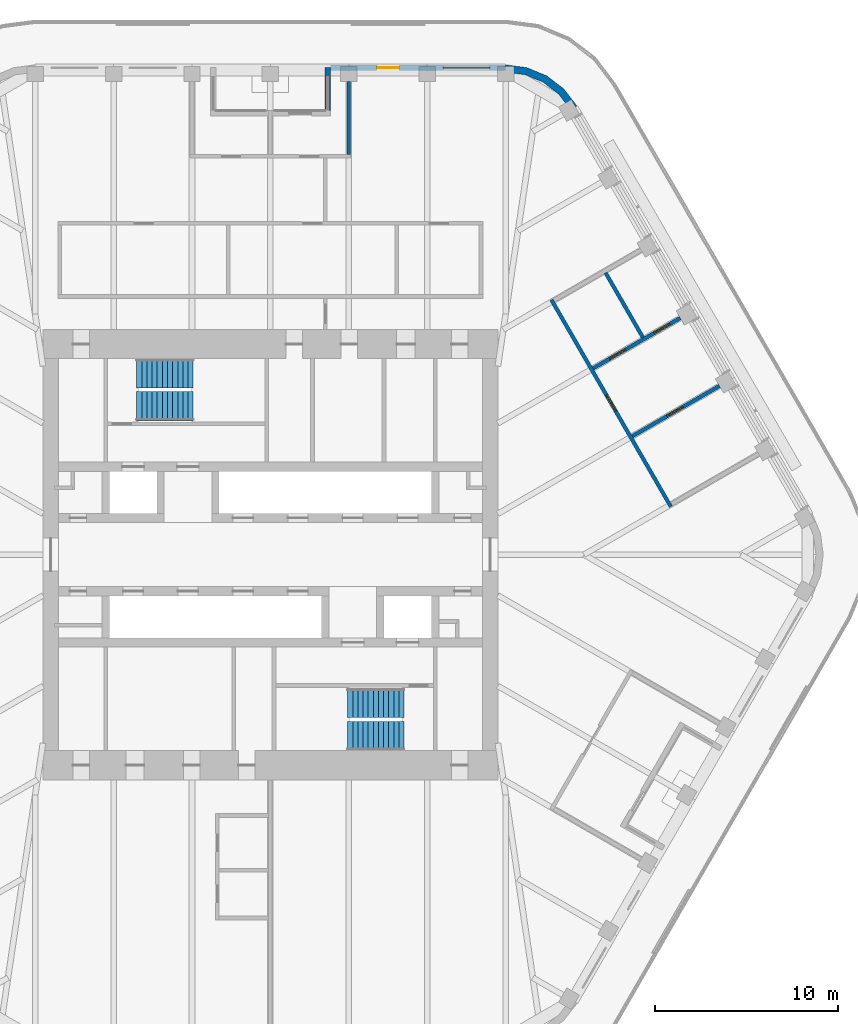
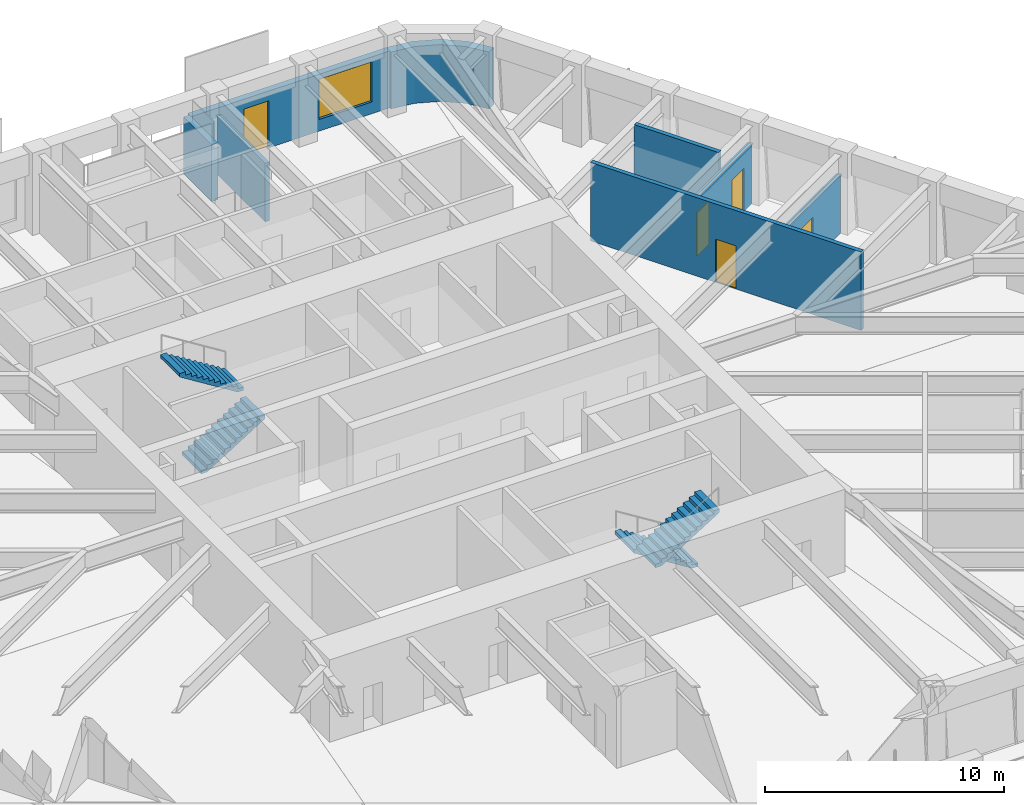
# One storey, part 16 of 19: 8 walls, 5 doors, 4 stair flights, 1 window, 6 openings, 2 elements without a shape of their own.
"""IFC4 building model written with IfcOpenShell, lengths in metres."""

from ifc_helpers import new_model, si_unit, direction, frame, frame_2d, origin, place, context, subcontext, project, spatial, polyline, rectangle, outline, extrude, material, layer, layer_set, type_object, element, fill, aggregate, save


model = new_model("IFC4")

# Units and contexts
model_context = context("Model", 3, precision=1e-05, world=origin(), true_north=direction((0.0, 1.0)))
body_context = subcontext(model_context, "Body", "Model", "MODEL_VIEW")
ifc_project = project(units=[si_unit("LENGTHUNIT", "METRE"), si_unit("AREAUNIT", "SQUARE_METRE"), si_unit("VOLUMEUNIT", "CUBIC_METRE"), si_unit("PLANEANGLEUNIT", "RADIAN"), si_unit("MASSUNIT", "GRAM", prefix="KILO")], contexts=[model_context])

# Site, building, storey
site_placement = place(None, origin())
site = spatial("IfcSite", under=ifc_project, at=site_placement, CompositionType="ELEMENT")
building_placement = place(site_placement, origin())
building = spatial("IfcBuilding", under=site, at=building_placement, Name="Tarfa Lantern Tower", CompositionType="ELEMENT")
storey_placement = place(building_placement, frame((0.0, 0.0, 366.10009765625)))
storey = spatial("IfcBuildingStorey", under=building, at=storey_placement, Name="L83", CompositionType="ELEMENT", Elevation=366.10009765625)

# Wall, openings, door, window
ifc_material_1 = material(Name="Limestone cladding on blockwork", Category="masonry")
ifc_layer_1 = layer(ifc_material_1, 0.300048828125)
ifc_layer_set_1 = layer_set([ifc_layer_1], Name="EW1 STONE-CLAD WALL 300")
wall_type_1 = type_object("IfcWallType", Name="EW1 STONE-CLAD WALL 300", PredefinedType="SOLIDWALL", material=ifc_layer_set_1)
wall_1_placement = place(storey_placement, frame((12.845947265625, 26.60009765625, 0.0), z_axis=(0.0, 0.0, 1.0), x_axis=(-1.0, 0.0, 0.0)))
wall_1 = element("IfcWall", 1, at=wall_1_placement, inside=storey, type_object=wall_type_1, Name="Stone wall N", PredefinedType="SOLIDWALL", context=body_context, shape_type="SweptSolid", body=[
    extrude(rectangle(XDim=9.56396484375, YDim=0.300048828125, at=frame_2d((4.781982421875, 0.0))), origin(), (0.0, 0.0, 1.0), 2.89990234375),
])
opening_1_placement = place(wall_1_placement, frame((0.865966796875, 0.0, 0.60009765625)))
opening_1 = element("IfcOpeningElement", 2, at=opening_1_placement, cuts=wall_1, Name="Opening W17", PredefinedType="OPENING", context=body_context, shape_type="SweptSolid", body=[
    extrude(rectangle(XDim=2.550048828125, YDim=2.050048828125, at=frame_2d((1.27490234375, 1.02490234375))), frame((0.0, 0.159912109375, 0.0), z_axis=(0.0, -1.0, 0.0), x_axis=(1.0, 0.0, 0.0)), (0.0, 0.0, 1.0), 0.320068359375),
])
opening_2_placement = place(wall_1_placement, frame((5.822998046875, 0.0, 0.0)))
opening_2 = element("IfcOpeningElement", 3, at=opening_2_placement, cuts=wall_1, Name="Opening D34", PredefinedType="OPENING", context=body_context, shape_type="SweptSolid", body=[
    extrude(rectangle(XDim=1.199951171875, YDim=2.39990234375, at=frame_2d((0.60009765625, 1.199951171875))), frame((0.0, 0.159912109375, 0.0), z_axis=(0.0, -1.0, 0.0), x_axis=(1.0, 0.0, 0.0)), (0.0, 0.0, 1.0), 0.320068359375),
])
ifc_material_2 = material(Name="Aluminium framed glazed door", Category="aluminium")
door_type_1 = type_object("IfcDoorType", Name="BE3 BALCONY DOOR 1200x2400", OperationType="SINGLE_SWING_RIGHT", PredefinedType="DOOR", material=ifc_material_2)
door_1_placement = place(opening_2_placement, origin())
door_1 = element("IfcDoor", 4, at=door_1_placement, inside=storey, type_object=door_type_1, Name="Balcony door N", OperationType="SINGLE_SWING_LEFT", OverallHeight=2.39990234375, OverallWidth=1.199951171875, PredefinedType="DOOR", context=body_context, shape_type="SweptSolid", body=[
    extrude(rectangle(XDim=1.199951171875, YDim=2.39990234375, at=frame_2d((0.60009765625, 1.199951171875))), frame((0.0, 0.02490234375, 0.0), z_axis=(0.0, -1.0, 0.0), x_axis=(1.0, 0.0, 0.0)), (0.0, 0.0, 1.0), 0.050048828125),
])
fill(opening_2, door_1)
ifc_material_3 = material(Name="Aluminium frame, double glazed", Category="aluminium")
window_type = type_object("IfcWindowType", Name="W17 FULL-HEIGHT GLAZING 2550x2050", PartitioningType="SINGLE_PANEL", PredefinedType="WINDOW", material=ifc_material_3)
window_placement = place(opening_1_placement, origin())
window = element("IfcWindow", 5, at=window_placement, inside=storey, type_object=window_type, Name="Window N 1", OverallHeight=2.050048828125, OverallWidth=2.550048828125, PartitioningType="SINGLE_PANEL", PredefinedType="WINDOW", context=body_context, shape_type="SweptSolid", body=[
    extrude(rectangle(XDim=2.550048828125, YDim=2.050048828125, at=frame_2d((1.27490234375, 1.02490234375))), frame((0.0, 0.030029296875, 0.0), z_axis=(0.0, -1.0, 0.0), x_axis=(1.0, 0.0, 0.0)), (0.0, 0.0, 1.0), 0.06005859375),
])
fill(opening_1, window)

# Walls
wall_2_placement = place(storey_placement, frame((3.132080078125, 26.60009765625, 0.0), z_axis=(0.0, 0.0, 1.0), x_axis=(0.0, -1.0, 0.0)))
element("IfcWall", 6, at=wall_2_placement, inside=storey, type_object=wall_type_1, Name="Terrace return N 1", PredefinedType="SOLIDWALL", context=body_context, shape_type="SweptSolid", body=[
    extrude(rectangle(XDim=2.35009765625, YDim=0.300048828125, at=frame_2d((1.175048828125, 0.0))), origin(), (0.0, 0.0, 1.0), 2.89990234375),
])
ifc_layer_2 = layer(ifc_material_1, 0.39990234375)
ifc_layer_set_2 = layer_set([ifc_layer_2], Name="EW2 CURVED STONE CORNER 400")
wall_type_2 = type_object("IfcWallType", Name="EW2 CURVED STONE CORNER 400", PredefinedType="SOLIDWALL", material=ifc_layer_set_2)
wall_3_placement = place(storey_placement, origin())
element("IfcWall", 7, at=wall_3_placement, inside=storey, type_object=wall_type_2, Name="Stone corner NE-N", PredefinedType="SOLIDWALL", context=body_context, shape_type="SweptSolid", body=[
    extrude(outline(polyline([(16.7431640625, 24.5), (16.028076171875, 25.431884765625), (15.095947265625, 26.147216796875), (14.0107421875, 26.5966796875), (12.845947265625, 26.75), (12.845947265625, 26.35009765625), (13.9072265625, 26.210205078125), (14.89599609375, 25.80078125), (15.7451171875, 25.149169921875), (16.396728515625, 24.300048828125), (16.7431640625, 24.5)])), origin(), (0.0, 0.0, 1.0), 2.89990234375),
])
ifc_material_4 = material(Name="Gypsum board on steel studs", Category="steel")
ifc_layer_3 = layer(ifc_material_4, 0.2099609375)
ifc_layer_set_3 = layer_set([ifc_layer_3], Name="IW2 ACOUSTIC PARTITION 200")
wall_type_3 = type_object("IfcWallType", Name="IW2 ACOUSTIC PARTITION 200", PredefinedType="PARTITIONING", material=ifc_layer_set_3)
wall_4_placement = place(storey_placement, frame((4.281982421875, 21.85009765625, 0.0), z_axis=(0.0, 0.0, 1.0), x_axis=(0.0, 1.0, 0.0)))
element("IfcWall", 8, at=wall_4_placement, inside=storey, type_object=wall_type_3, Name="Partition", PredefinedType="PARTITIONING", context=body_context, shape_type="SweptSolid", body=[
    extrude(rectangle(XDim=4.0, YDim=0.199951171875, at=frame_2d((2.0, 0.0))), origin(), (0.0, 0.0, 1.0), 2.99169921875),
])

# Wall, opening, door
wall_5_placement = place(storey_placement, frame((21.869140625, 2.621826171875, 0.0), z_axis=(0.0, 0.0, 1.0), x_axis=(-0.500013496215, 0.866017611601, 0.0)))
wall_5 = element("IfcWall", 9, at=wall_5_placement, inside=storey, type_object=wall_type_3, Name="Partition", PredefinedType="PARTITIONING", context=body_context, shape_type="SweptSolid", body=[
    extrude(rectangle(XDim=13.046142578125, YDim=0.199951171875, at=frame_2d((6.52294921875, 0.0))), origin(), (0.0, 0.0, 1.0), 4.0),
])
opening_3_placement = place(wall_5_placement, frame((6.02294921875, 0.0, 0.0)))
opening_3 = element("IfcOpeningElement", 10, at=opening_3_placement, cuts=wall_5, Name="Opening D24", PredefinedType="OPENING", context=body_context, shape_type="SweptSolid", body=[
    extrude(rectangle(XDim=1.0, YDim=2.199951171875, at=frame_2d((0.5, 1.10009765625))), frame((0.0, 0.10986328125, 0.0), z_axis=(0.0, -1.0, 0.0), x_axis=(1.0, 0.0, 0.0)), (0.0, 0.0, 1.0), 0.219970703125),
])
ifc_material_5 = material(Name="Timber door", Category="wood")
door_type_2 = type_object("IfcDoorType", Name="DR1 ROOM DOOR 1000x2200", OperationType="SINGLE_SWING_LEFT", PredefinedType="DOOR", material=ifc_material_5)
door_2_placement = place(opening_3_placement, frame((1.0, 0.0, 0.0), z_axis=(0.0, 0.0, 1.0), x_axis=(-1.0, 0.0, 0.0)))
door_2 = element("IfcDoor", 11, at=door_2_placement, inside=storey, type_object=door_type_2, Name="PA area door", OperationType="SINGLE_SWING_LEFT", OverallHeight=2.199951171875, OverallWidth=1.0, PredefinedType="DOOR", context=body_context, shape_type="SweptSolid", body=[
    extrude(rectangle(XDim=1.0, YDim=2.199951171875, at=frame_2d((0.5, 1.10009765625))), frame((0.0, 0.02490234375, 0.0), z_axis=(0.0, -1.0, 0.0), x_axis=(1.0, 0.0, 0.0)), (0.0, 0.0, 1.0), 0.050048828125),
])
fill(opening_3, door_2)

wall_6_placement = place(storey_placement, frame((19.7646484375, 6.466552734375, 0.0), z_axis=(0.0, 0.0, 1.0), x_axis=(0.866027397988, 0.499996545922, 0.0)))
wall_6 = element("IfcWall", 12, at=wall_6_placement, inside=storey, type_object=wall_type_3, Name="Partition", PredefinedType="PARTITIONING", context=body_context, shape_type="SweptSolid", body=[
    extrude(rectangle(XDim=5.5, YDim=0.199951171875, at=frame_2d((2.75, 0.0))), origin(), (0.0, 0.0, 1.0), 2.99169921875),
])
opening_4_placement = place(wall_6_placement, frame((2.199951171875, 0.0, 0.0)))
opening_4 = element("IfcOpeningElement", 13, at=opening_4_placement, cuts=wall_6, Name="Opening D23", PredefinedType="OPENING", context=body_context, shape_type="SweptSolid", body=[
    extrude(rectangle(XDim=1.0, YDim=2.199951171875, at=frame_2d((0.5, 1.10009765625))), frame((0.0, 0.10986328125, 0.0), z_axis=(0.0, -1.0, 0.0), x_axis=(1.0, 0.0, 0.0)), (0.0, 0.0, 1.0), 0.219970703125),
])
door_3_placement = place(opening_4_placement, frame((1.0, 0.0, 0.0), z_axis=(0.0, 0.0, 1.0), x_axis=(-1.0, 0.0, 0.0)))
door_3 = element("IfcDoor", 14, at=door_3_placement, inside=storey, type_object=door_type_2, Name="Executive office door", OperationType="SINGLE_SWING_LEFT", OverallHeight=2.199951171875, OverallWidth=1.0, PredefinedType="DOOR", context=body_context, shape_type="SweptSolid", body=[
    extrude(rectangle(XDim=1.0, YDim=2.199951171875, at=frame_2d((0.5, 1.10009765625))), frame((0.0, 0.02490234375, 0.0), z_axis=(0.0, -1.0, 0.0), x_axis=(1.0, 0.0, 0.0)), (0.0, 0.0, 1.0), 0.050048828125),
])
fill(opening_4, door_3)

# Wall, openings, doors
wall_7_placement = place(storey_placement, frame((17.62353515625, 10.175048828125, 0.0), z_axis=(0.0, 0.0, 1.0), x_axis=(0.866027397988, 0.499996545922, 0.0)))
wall_7 = element("IfcWall", 15, at=wall_7_placement, inside=storey, type_object=wall_type_3, Name="Partition", PredefinedType="PARTITIONING", context=body_context, shape_type="SweptSolid", body=[
    extrude(rectangle(XDim=5.5, YDim=0.199951171875, at=frame_2d((2.75, 0.0))), origin(), (0.0, 0.0, 1.0), 3.08154296875),
])
opening_5_placement = place(wall_7_placement, frame((1.050048828125, 0.0, 0.0)))
opening_5 = element("IfcOpeningElement", 16, at=opening_5_placement, cuts=wall_7, Name="Opening D25", PredefinedType="OPENING", context=body_context, shape_type="SweptSolid", body=[
    extrude(rectangle(XDim=1.0, YDim=2.199951171875, at=frame_2d((0.5, 1.10009765625))), frame((0.0, 0.10986328125, 0.0), z_axis=(0.0, -1.0, 0.0), x_axis=(1.0, 0.0, 0.0)), (0.0, 0.0, 1.0), 0.219970703125),
])
opening_6_placement = place(wall_7_placement, frame((3.85009765625, 0.0, 0.0)))
opening_6 = element("IfcOpeningElement", 17, at=opening_6_placement, cuts=wall_7, Name="Opening D26", PredefinedType="OPENING", context=body_context, shape_type="SweptSolid", body=[
    extrude(rectangle(XDim=1.0, YDim=2.199951171875, at=frame_2d((0.5, 1.10009765625))), frame((0.0, 0.10986328125, 0.0), z_axis=(0.0, -1.0, 0.0), x_axis=(1.0, 0.0, 0.0)), (0.0, 0.0, 1.0), 0.219970703125),
])
door_4_placement = place(opening_5_placement, origin())
door_4 = element("IfcDoor", 18, at=door_4_placement, inside=storey, type_object=door_type_2, Name="Meeting room door", OperationType="SINGLE_SWING_RIGHT", OverallHeight=2.199951171875, OverallWidth=1.0, PredefinedType="DOOR", context=body_context, shape_type="SweptSolid", body=[
    extrude(rectangle(XDim=1.0, YDim=2.199951171875, at=frame_2d((0.5, 1.10009765625))), frame((0.0, 0.02490234375, 0.0), z_axis=(0.0, -1.0, 0.0), x_axis=(1.0, 0.0, 0.0)), (0.0, 0.0, 1.0), 0.050048828125),
])
fill(opening_5, door_4)
door_5_placement = place(opening_6_placement, origin())
door_5 = element("IfcDoor", 19, at=door_5_placement, inside=storey, type_object=door_type_2, Name="Private lounge door", OperationType="SINGLE_SWING_RIGHT", OverallHeight=2.199951171875, OverallWidth=1.0, PredefinedType="DOOR", context=body_context, shape_type="SweptSolid", body=[
    extrude(rectangle(XDim=1.0, YDim=2.199951171875, at=frame_2d((0.5, 1.10009765625))), frame((0.0, 0.02490234375, 0.0), z_axis=(0.0, -1.0, 0.0), x_axis=(1.0, 0.0, 0.0)), (0.0, 0.0, 1.0), 0.050048828125),
])
fill(opening_6, door_5)

# Wall
wall_8_placement = place(storey_placement, frame((20.344970703125, 11.861572265625, 0.0), z_axis=(0.0, 0.0, 1.0), x_axis=(-0.499998569178, 0.866026229868, 0.0)))
element("IfcWall", 20, at=wall_8_placement, inside=storey, type_object=wall_type_3, Name="Partition", PredefinedType="PARTITIONING", context=body_context, shape_type="SweptSolid", body=[
    extrude(rectangle(XDim=4.08203125, YDim=0.199951171875, at=frame_2d((2.041015625, 0.0))), origin(), (0.0, 0.0, 1.0), 4.0),
])

# Stair, stair flights
ifc_material_6 = material(Name="Concrete C40/50", Category="concrete")
stair_type = type_object("IfcStairType", Name="ST-T10 HALF-TURN STAIR 4200 RISE", PredefinedType="HALF_TURN_STAIR", material=ifc_material_6)
stair_1_placement = place(storey_placement, origin())
stair_1 = element("IfcStair", 21, at=stair_1_placement, inside=storey, type_object=stair_type, Name="Stair ST1", PredefinedType="HALF_TURN_STAIR")
stair_flight_type = type_object("IfcStairFlightType", Name="SF1 STAIR FLIGHT", PredefinedType="STRAIGHT", material=ifc_material_6)
stair_flight_1_placement = place(storey_placement, frame((-7.300048828125, 8.10009765625, 0.0), z_axis=(0.0, 0.0, 1.0), x_axis=(1.0, 0.0, 0.0)))
stair_flight_1 = element("IfcStairFlight", 22, at=stair_flight_1_placement, type_object=stair_flight_type, Name="ST1 flight 1", NumberOfRisers=12, NumberOfTreads=11, PredefinedType="STRAIGHT", RiserHeight=0.175, TreadLength=0.28, context=body_context, shape_type="SweptSolid", body=[
    extrude(outline(polyline([(0.0, 0.0), (0.0, 0.175048828125), (0.280029296875, 0.175048828125), (0.280029296875, 0.35009765625), (0.56005859375, 0.35009765625), (0.56005859375, 0.52490234375), (0.840087890625, 0.52490234375), (0.840087890625, 0.699951171875), (1.1201171875, 0.699951171875), (1.1201171875, 0.875), (1.39990234375, 0.875), (1.39990234375, 1.050048828125), (1.679931640625, 1.050048828125), (1.679931640625, 1.22509765625), (1.9599609375, 1.22509765625), (1.9599609375, 1.39990234375), (2.239990234375, 1.39990234375), (2.239990234375, 1.574951171875), (2.52001953125, 1.574951171875), (2.52001953125, 1.75), (2.800048828125, 1.75), (2.800048828125, 1.925048828125), (3.080078125, 1.925048828125), (3.080078125, 2.10009765625), (3.080078125, 1.748291015625), (0.28271484375, 0.0), (0.0, 0.0)])), frame((0.0, 0.800048828125, 0.0), z_axis=(0.0, -1.0, 0.0), x_axis=(1.0, 0.0, 0.0)), (0.0, 0.0, 1.0), 1.60009765625),
])
stair_flight_2_placement = place(storey_placement, frame((-4.219970703125, 9.89990234375, 2.099853515625), z_axis=(0.0, 0.0, 1.0), x_axis=(-1.0, 0.0, 0.0)))
stair_flight_2 = element("IfcStairFlight", 23, at=stair_flight_2_placement, type_object=stair_flight_type, Name="ST1 flight 2", NumberOfRisers=12, NumberOfTreads=11, PredefinedType="STRAIGHT", RiserHeight=0.175, TreadLength=0.28, context=body_context, shape_type="SweptSolid", body=[
    extrude(outline(polyline([(0.0, 0.0), (0.0, 0.175048828125), (0.280029296875, 0.175048828125), (0.280029296875, 0.35009765625), (0.56005859375, 0.35009765625), (0.56005859375, 0.52490234375), (0.840087890625, 0.52490234375), (0.840087890625, 0.699951171875), (1.1201171875, 0.699951171875), (1.1201171875, 0.875), (1.39990234375, 0.875), (1.39990234375, 1.050048828125), (1.679931640625, 1.050048828125), (1.679931640625, 1.22509765625), (1.9599609375, 1.22509765625), (1.9599609375, 1.39990234375), (2.239990234375, 1.39990234375), (2.239990234375, 1.574951171875), (2.52001953125, 1.574951171875), (2.52001953125, 1.75), (2.800048828125, 1.75), (2.800048828125, 1.925048828125), (3.080078125, 1.925048828125), (3.080078125, 2.10009765625), (3.080078125, 1.748291015625), (0.28271484375, 0.0), (0.0, 0.0)])), frame((0.0, 0.800048828125, 0.0), z_axis=(0.0, -1.0, 0.0), x_axis=(1.0, 0.0, 0.0)), (0.0, 0.0, 1.0), 1.60009765625),
])
aggregate(stair_1, [stair_flight_1, stair_flight_2])

stair_2_placement = place(storey_placement, origin())
stair_2 = element("IfcStair", 24, at=stair_2_placement, inside=storey, type_object=stair_type, Name="Stair ST2", PredefinedType="HALF_TURN_STAIR")
stair_flight_3_placement = place(storey_placement, frame((7.300048828125, -8.10009765625, 0.0), z_axis=(0.0, 0.0, 1.0), x_axis=(-1.0, 0.0, 0.0)))
stair_flight_3 = element("IfcStairFlight", 25, at=stair_flight_3_placement, type_object=stair_flight_type, Name="ST2 flight 1", NumberOfRisers=12, NumberOfTreads=11, PredefinedType="STRAIGHT", RiserHeight=0.175, TreadLength=0.28, context=body_context, shape_type="SweptSolid", body=[
    extrude(outline(polyline([(0.0, 0.0), (0.0, 0.175048828125), (0.280029296875, 0.175048828125), (0.280029296875, 0.35009765625), (0.56005859375, 0.35009765625), (0.56005859375, 0.52490234375), (0.840087890625, 0.52490234375), (0.840087890625, 0.699951171875), (1.1201171875, 0.699951171875), (1.1201171875, 0.875), (1.39990234375, 0.875), (1.39990234375, 1.050048828125), (1.679931640625, 1.050048828125), (1.679931640625, 1.22509765625), (1.9599609375, 1.22509765625), (1.9599609375, 1.39990234375), (2.239990234375, 1.39990234375), (2.239990234375, 1.574951171875), (2.52001953125, 1.574951171875), (2.52001953125, 1.75), (2.800048828125, 1.75), (2.800048828125, 1.925048828125), (3.080078125, 1.925048828125), (3.080078125, 2.10009765625), (3.080078125, 1.748291015625), (0.28271484375, 0.0), (0.0, 0.0)])), frame((0.0, 0.800048828125, 0.0), z_axis=(0.0, -1.0, 0.0), x_axis=(1.0, 0.0, 0.0)), (0.0, 0.0, 1.0), 1.60009765625),
])
stair_flight_4_placement = place(storey_placement, frame((4.219970703125, -9.89990234375, 2.099853515625), z_axis=(0.0, 0.0, 1.0), x_axis=(1.0, 0.0, 0.0)))
stair_flight_4 = element("IfcStairFlight", 26, at=stair_flight_4_placement, type_object=stair_flight_type, Name="ST2 flight 2", NumberOfRisers=12, NumberOfTreads=11, PredefinedType="STRAIGHT", RiserHeight=0.175, TreadLength=0.28, context=body_context, shape_type="SweptSolid", body=[
    extrude(outline(polyline([(0.0, 0.0), (0.0, 0.175048828125), (0.280029296875, 0.175048828125), (0.280029296875, 0.35009765625), (0.56005859375, 0.35009765625), (0.56005859375, 0.52490234375), (0.840087890625, 0.52490234375), (0.840087890625, 0.699951171875), (1.1201171875, 0.699951171875), (1.1201171875, 0.875), (1.39990234375, 0.875), (1.39990234375, 1.050048828125), (1.679931640625, 1.050048828125), (1.679931640625, 1.22509765625), (1.9599609375, 1.22509765625), (1.9599609375, 1.39990234375), (2.239990234375, 1.39990234375), (2.239990234375, 1.574951171875), (2.52001953125, 1.574951171875), (2.52001953125, 1.75), (2.800048828125, 1.75), (2.800048828125, 1.925048828125), (3.080078125, 1.925048828125), (3.080078125, 2.10009765625), (3.080078125, 1.748291015625), (0.28271484375, 0.0), (0.0, 0.0)])), frame((0.0, 0.800048828125, 0.0), z_axis=(0.0, -1.0, 0.0), x_axis=(1.0, 0.0, 0.0)), (0.0, 0.0, 1.0), 1.60009765625),
])
aggregate(stair_2, [stair_flight_3, stair_flight_4])

save(model, "model.ifc")
